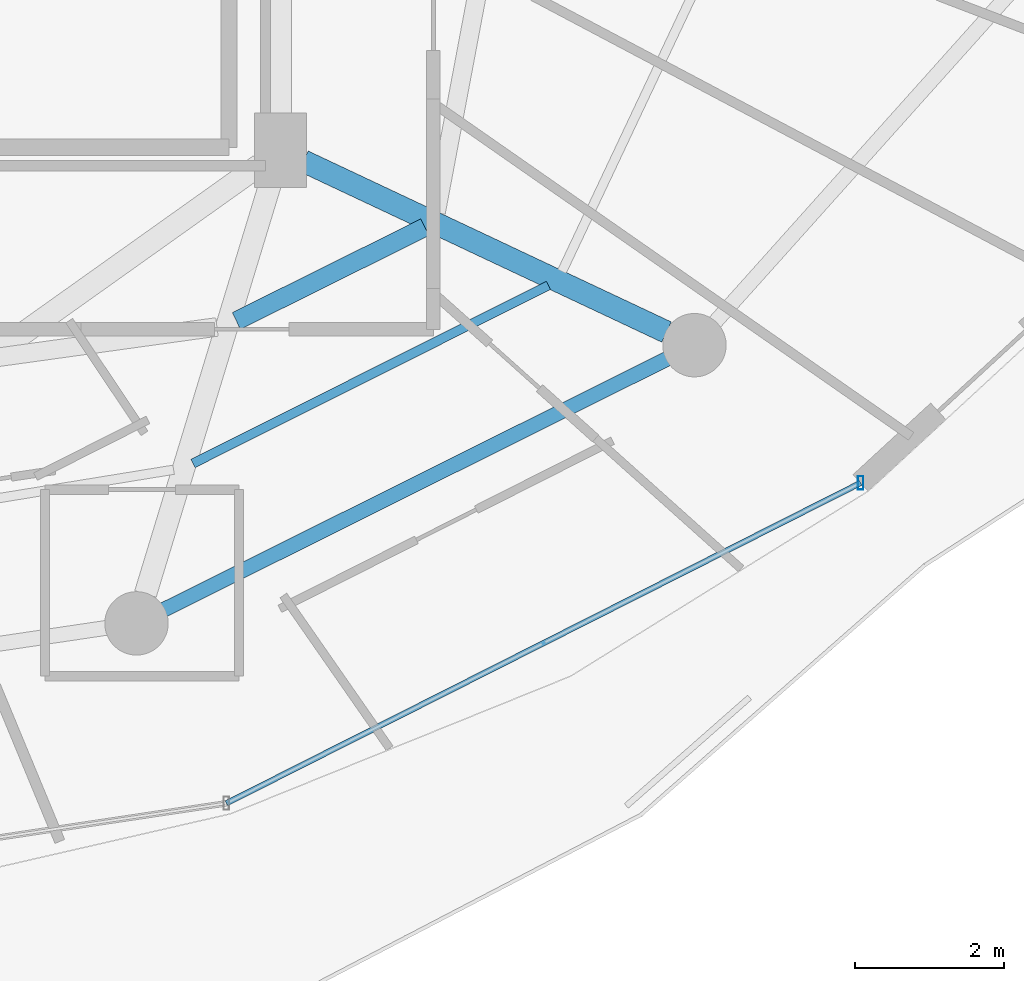
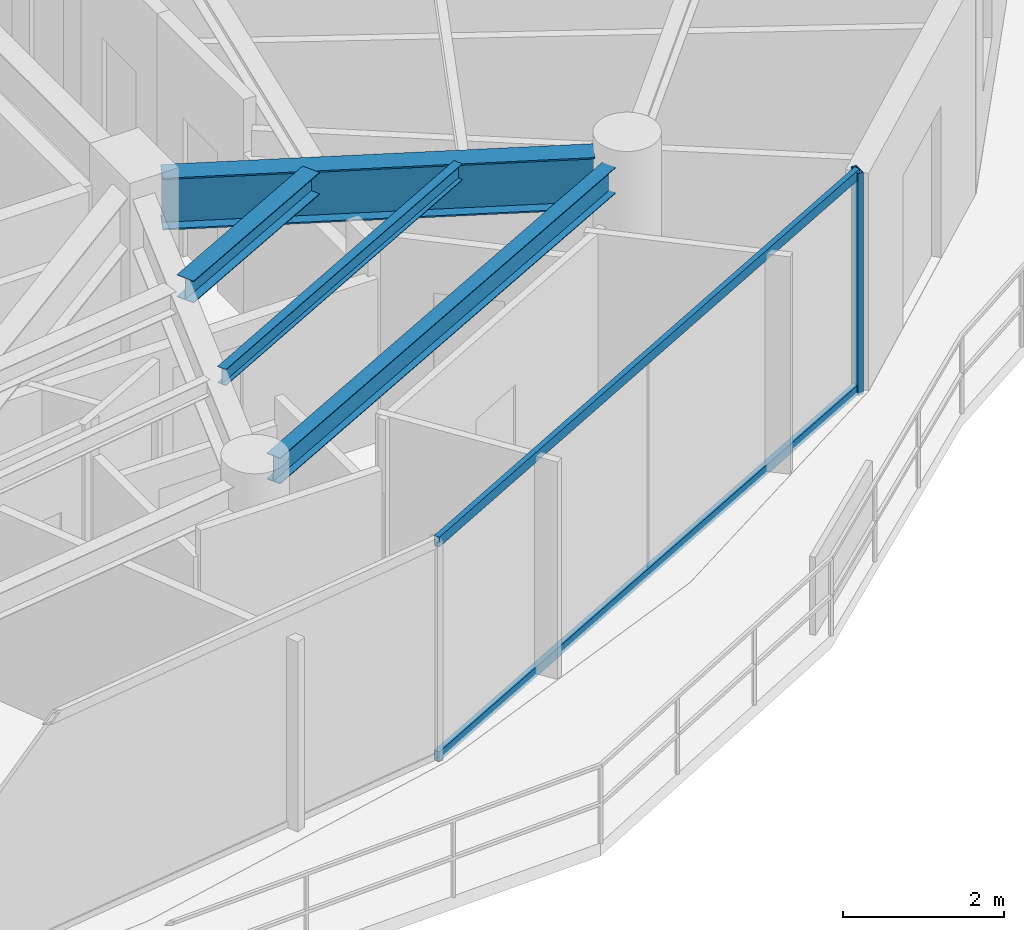
# One storey, part 11 of 29: 4 beams, 3 members, 1 element without a shape of its own.
"""IFC4 building model written with IfcOpenShell, lengths in metres."""

from ifc_helpers import new_model, si_unit, direction, frame, origin, origin_2d, place, context, subcontext, project, spatial, hollow_rectangle, i_section, extrude, material, material_profile, profile_set, type_object, element, aggregate, save


model = new_model("IFC4")

# Units and contexts
model_context = context("Model", 3, precision=1e-05, world=origin(), true_north=direction((0.0, 1.0)))
body_context = subcontext(model_context, "Body", "Model", "MODEL_VIEW")
ifc_project = project(units=[si_unit("LENGTHUNIT", "METRE"), si_unit("AREAUNIT", "SQUARE_METRE"), si_unit("VOLUMEUNIT", "CUBIC_METRE"), si_unit("PLANEANGLEUNIT", "RADIAN"), si_unit("MASSUNIT", "GRAM", prefix="KILO")], contexts=[model_context])

# Site, building, storey
site_placement = place(None, origin())
site = spatial("IfcSite", under=ifc_project, at=site_placement, CompositionType="ELEMENT")
building_placement = place(site_placement, origin())
building = spatial("IfcBuilding", under=site, at=building_placement, Name="Vorneva Point Tower", CompositionType="ELEMENT")
storey_placement = place(building_placement, frame((0.0, 0.0, 255.550048828125)))
storey = spatial("IfcBuildingStorey", under=building, at=storey_placement, Name="L69", CompositionType="ELEMENT", Elevation=255.550048828125)

# Beams
ifc_material_1 = material(Name="Steel S355", Category="steel")
ifc_material_profile_1 = material_profile(ifc_material_1, i_section(OverallWidth=0.300048828125, OverallDepth=0.7880859375, WebThickness=0.014404296875, FlangeThickness=0.02197265625, at=origin_2d()), Name="80Sh1")
ifc_profile_set_1 = profile_set([ifc_material_profile_1], Name="Steel S355")
beam_type_1 = type_object("IfcBeamType", Name="BM-GRD-80Sh1", PredefinedType="USERDEFINED", material=ifc_profile_set_1)
beam_1_placement = place(storey_placement, frame((53.925048828125, 14.013671875, 2.89599609375), z_axis=(-0.904750812805, 0.425941271455, 0.0), x_axis=(-0.425941271455, -0.904750812805, 0.0)))
element("IfcBeam", 1, at=beam_1_placement, inside=storey, type_object=beam_type_1, Name="L69 Radial Primary Girder 15", ObjectType="GIRDER", PredefinedType="USERDEFINED", context=body_context, shape_type="SweptSolid", body=[
    extrude(i_section(OverallWidth=0.300048828125, OverallDepth=0.7880859375, WebThickness=0.014404296875, FlangeThickness=0.02197265625, at=origin_2d()), origin(), (0.0, 0.0, 1.0), 5.3798828125),
])
ifc_material_profile_2 = material_profile(ifc_material_1, i_section(OverallWidth=0.1240234375, OverallDepth=0.248046875, WebThickness=0.0048828125, FlangeThickness=0.008056640625, at=origin_2d()), Name="25B1")
ifc_profile_set_2 = profile_set([ifc_material_profile_2], Name="Steel S355")
beam_type_2 = type_object("IfcBeamType", Name="BM-JST-25B1", PredefinedType="JOIST", material=ifc_profile_set_2)
beam_2_placement = place(storey_placement, frame((47.577392578125, 12.252197265625, 3.166015625), z_axis=(0.894042010331, 0.447983128883, 0.0), x_axis=(-0.447983128883, 0.894042010331, 0.0)))
element("IfcBeam", 2, at=beam_2_placement, inside=storey, type_object=beam_type_2, Name="L69 Secondary Floor Beam 1.14", PredefinedType="JOIST", context=body_context, shape_type="SweptSolid", body=[
    extrude(i_section(OverallWidth=0.1240234375, OverallDepth=0.248046875, WebThickness=0.0048828125, FlangeThickness=0.008056640625, at=origin_2d()), origin(), (0.0, 0.0, 1.0), 5.328857421875),
])
ifc_material_profile_3 = material_profile(ifc_material_1, i_section(OverallWidth=0.2490234375, OverallDepth=0.333984375, WebThickness=0.008056640625, FlangeThickness=0.010986328125, at=origin_2d()), Name="35Sh1")
ifc_profile_set_3 = profile_set([ifc_material_profile_3], Name="Steel S355")
beam_type_3 = type_object("IfcBeamType", Name="BM-SEC-35Sh1", PredefinedType="BEAM", material=ifc_profile_set_3)
beam_3_placement = place(storey_placement, frame((48.158935546875, 14.162841796875, 3.123046875), z_axis=(0.895531752864, 0.444997617536, 0.0), x_axis=(-0.444997617536, 0.895531752864, 0.0)))
element("IfcBeam", 3, at=beam_3_placement, inside=storey, type_object=beam_type_3, Name="L69 Secondary Floor Beam 2.14", PredefinedType="BEAM", context=body_context, shape_type="SweptSolid", body=[
    extrude(i_section(OverallWidth=0.2490234375, OverallDepth=0.333984375, WebThickness=0.008056640625, FlangeThickness=0.010986328125, at=origin_2d()), origin(), (0.0, 0.0, 1.0), 2.822265625),
])
ifc_material_profile_4 = material_profile(ifc_material_1, i_section(OverallWidth=0.198974609375, OverallDepth=0.39599609375, WebThickness=0.007080078125, FlangeThickness=0.010986328125, at=origin_2d()), Name="40B1")
ifc_profile_set_4 = profile_set([ifc_material_profile_4], Name="Steel S355")
beam_type_4 = type_object("IfcBeamType", Name="BM-SPN-40B1", PredefinedType="SPANDREL", material=ifc_profile_set_4)
beam_4_placement = place(storey_placement, frame((47.187744140625, 10.292236328125, 3.092041015625), z_axis=(0.894932011528, 0.446202526599, 0.0), x_axis=(-0.446202526599, 0.894932011528, 0.0)))
element("IfcBeam", 4, at=beam_4_placement, inside=storey, type_object=beam_type_4, Name="L69 Perimeter Spandrel Ring Beam 14", PredefinedType="SPANDREL", context=body_context, shape_type="SweptSolid", body=[
    extrude(i_section(OverallWidth=0.198974609375, OverallDepth=0.39599609375, WebThickness=0.007080078125, FlangeThickness=0.010986328125, at=origin_2d()), origin(), (0.0, 0.0, 1.0), 7.535888671875),
])

# Curtain wall, members
ifc_material_2 = material(Name="Pale anodised aluminium", Category="aluminium")
curtain_wall_type = type_object("IfcCurtainWallType", Name="CW-RES-SYS", PredefinedType="NOTDEFINED", material=ifc_material_2)
curtain_wall_placement = place(storey_placement, origin())
curtain_wall = element("IfcCurtainWall", 5, at=curtain_wall_placement, inside=storey, type_object=curtain_wall_type, Name="L69 Unitised Curtain Wall CW-L69-R04", PredefinedType="NOTDEFINED")
ifc_material_profile_5 = material_profile(ifc_material_2, hollow_rectangle(XDim=0.074951171875, YDim=0.179931640625, WallThickness=0.00390625, at=origin_2d()), Name="AL-MUL 180x75x4")
ifc_profile_set_5 = profile_set([ifc_material_profile_5], Name="Pale anodised aluminium")
member_type_1 = type_object("IfcMemberType", Name="CW-MUL-180", PredefinedType="MULLION", material=ifc_profile_set_5)
member_1_placement = place(storey_placement, frame((56.526123046875, 11.9921875, -0.0400390625), z_axis=(0.0, 0.0, 1.0), x_axis=(1.0, 0.0, 0.0)))
member_1 = element("IfcMember", 6, at=member_1_placement, type_object=member_type_1, Name="CW-L69-R04 Mullion 05", PredefinedType="MULLION", context=body_context, shape_type="SweptSolid", body=[
    extrude(hollow_rectangle(XDim=0.074951171875, YDim=0.179931640625, WallThickness=0.00390625, at=origin_2d()), origin(), (0.0, 0.0, 1.0), 3.360107421875),
])
ifc_material_profile_6 = material_profile(ifc_material_2, hollow_rectangle(XDim=0.074951171875, YDim=0.14990234375, WallThickness=0.00390625, at=origin_2d()), Name="AL-TRN 150x75x4")
ifc_profile_set_6 = profile_set([ifc_material_profile_6], Name="Pale anodised aluminium")
member_type_2 = type_object("IfcMemberType", Name="CW-TRN-150", PredefinedType="USERDEFINED", material=ifc_profile_set_6)
member_2_placement = place(storey_placement, frame((48.0263671875, 7.697998046875, 0.02001953125), z_axis=(0.892558185815, 0.450932239848, 0.0), x_axis=(-0.450932239848, 0.892558185815, 0.0)))
member_2 = element("IfcMember", 7, at=member_2_placement, type_object=member_type_2, Name="CW-L69-R04 Transom 04.1", ObjectType="TRANSOM", PredefinedType="USERDEFINED", context=body_context, shape_type="SweptSolid", body=[
    extrude(hollow_rectangle(XDim=0.074951171875, YDim=0.14990234375, WallThickness=0.00390625, at=origin_2d()), origin(), (0.0, 0.0, 1.0), 9.52294921875),
])
member_3_placement = place(storey_placement, frame((48.0263671875, 7.697998046875, 3.27001953125), z_axis=(0.892558185815, 0.450932239848, 0.0), x_axis=(-0.450932239848, 0.892558185815, 0.0)))
member_3 = element("IfcMember", 8, at=member_3_placement, type_object=member_type_2, Name="CW-L69-R04 Transom 04.2", ObjectType="TRANSOM", PredefinedType="USERDEFINED", context=body_context, shape_type="SweptSolid", body=[
    extrude(hollow_rectangle(XDim=0.074951171875, YDim=0.14990234375, WallThickness=0.00390625, at=origin_2d()), origin(), (0.0, 0.0, 1.0), 9.52294921875),
])
aggregate(curtain_wall, [member_1, member_2, member_3])

save(model, "model.ifc")
